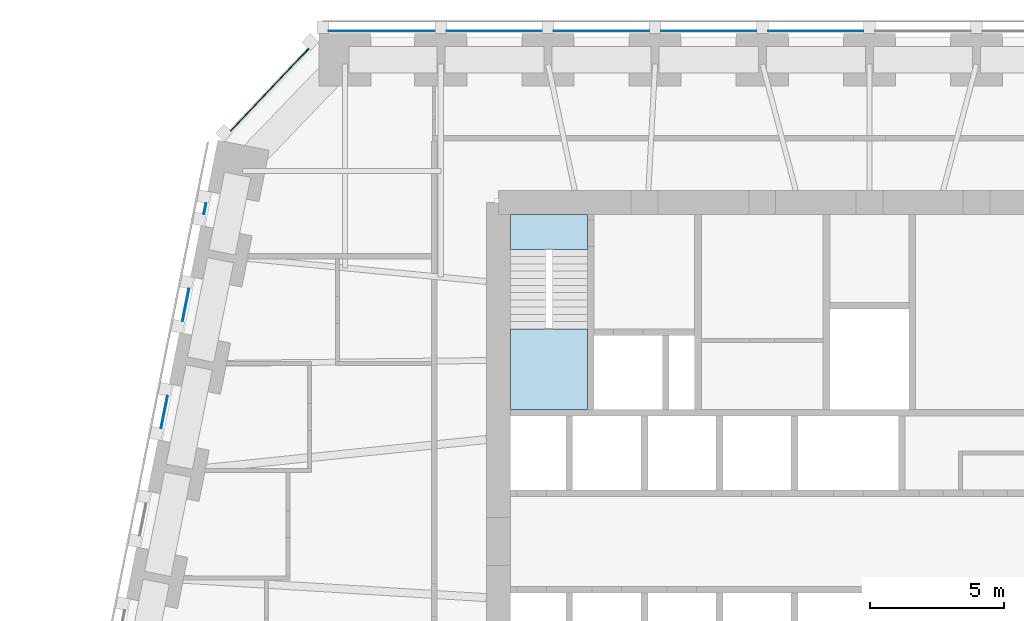
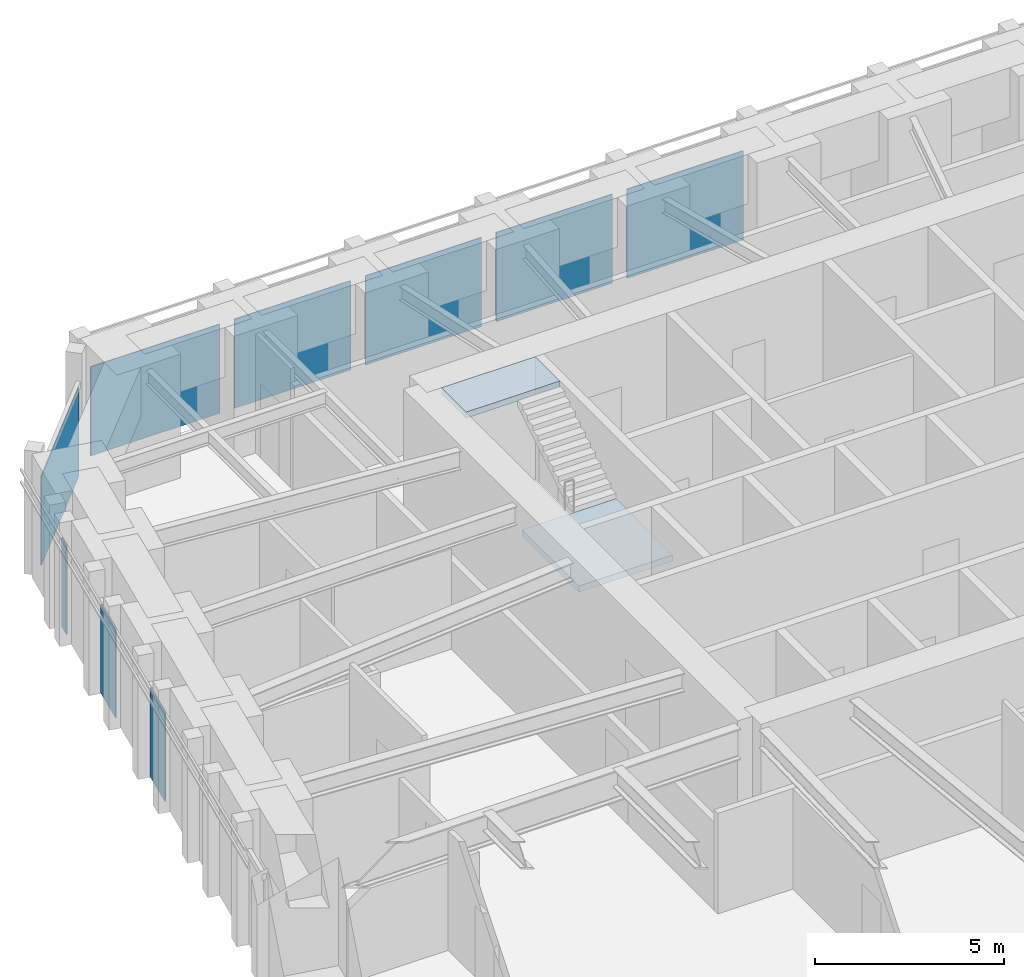
# One storey, part 9 of 16: 9 plates, 2 slabs, 6 elements without a shape of their own.
"""IFC4 building model written with IfcOpenShell, lengths in metres."""

from ifc_helpers import new_model, si_unit, direction, frame, origin, origin_2d, place, context, subcontext, project, spatial, polyline, rectangle, outline, extrude, material, layer, layer_set, type_object, element, aggregate, save


model = new_model("IFC4")

# Units and contexts
model_context = context("Model", 3, precision=1e-05, world=origin(), true_north=direction((0.0, 1.0)))
body_context = subcontext(model_context, "Body", "Model", "MODEL_VIEW")
ifc_project = project(units=[si_unit("LENGTHUNIT", "METRE"), si_unit("AREAUNIT", "SQUARE_METRE"), si_unit("VOLUMEUNIT", "CUBIC_METRE"), si_unit("PLANEANGLEUNIT", "RADIAN"), si_unit("MASSUNIT", "GRAM", prefix="KILO")], contexts=[model_context])

# Site, building, storey
site_placement = place(None, origin())
site = spatial("IfcSite", under=ifc_project, at=site_placement, CompositionType="ELEMENT")
building_placement = place(site_placement, origin())
building = spatial("IfcBuilding", under=site, at=building_placement, Name="Isbrekke Arena Tower", CompositionType="ELEMENT")
storey_placement = place(building_placement, frame((0.0, 0.0, 52.0)))
storey = spatial("IfcBuildingStorey", under=building, at=storey_placement, Name="L10", CompositionType="ELEMENT", Elevation=52.0)

# Curtain wall, plates
ifc_material_1 = material(Name="Glazed aluminium curtain wall", Category="aluminium")
curtain_wall_type = type_object("IfcCurtainWallType", Name="CWL TOWER CURTAIN WALL LOW ZONE", PredefinedType="USERDEFINED", material=ifc_material_1)
curtain_wall_1_placement = place(storey_placement, origin())
curtain_wall_1 = element("IfcCurtainWall", 1, at=curtain_wall_1_placement, inside=storey, type_object=curtain_wall_type, Name="CWL curtain wall L10-N", ObjectType="TOWER CURTAIN WALL LOW ZONE", PredefinedType="USERDEFINED")
ifc_material_2 = material(Name="Triple-glazed clear glass unit", Category="glass")
ifc_layer_1 = layer(ifc_material_2, 0.031982421875)
ifc_layer_set_1 = layer_set([ifc_layer_1], Name="CWL-P VISION PANEL")
plate_type = type_object("IfcPlateType", Name="CWL-P VISION PANEL", PredefinedType="CURTAIN_PANEL", material=ifc_layer_set_1)
plate_1_placement = place(storey_placement, frame((-2.0, 30.25, 0.02001953125), z_axis=(0.0, 0.0, 1.0), x_axis=(-1.0, 0.0, 0.0)))
plate_1 = element("IfcPlate", 2, at=plate_1_placement, type_object=plate_type, Name="CWL-P panel 6", PredefinedType="CURTAIN_PANEL", context=body_context, shape_type="SweptSolid", body=[
    extrude(rectangle(XDim=3.550048828125, YDim=0.031982421875, at=origin_2d()), origin(), (0.0, 0.0, 1.0), 2.8798828125),
])
plate_2_placement = place(storey_placement, frame((-6.0, 30.25, 0.02001953125), z_axis=(0.0, 0.0, 1.0), x_axis=(-1.0, 0.0, 0.0)))
plate_2 = element("IfcPlate", 3, at=plate_2_placement, type_object=plate_type, Name="CWL-P panel 7", PredefinedType="CURTAIN_PANEL", context=body_context, shape_type="SweptSolid", body=[
    extrude(rectangle(XDim=3.550048828125, YDim=0.031982421875, at=origin_2d()), origin(), (0.0, 0.0, 1.0), 2.8798828125),
])
plate_3_placement = place(storey_placement, frame((-10.0, 30.25, 0.02001953125), z_axis=(0.0, 0.0, 1.0), x_axis=(-1.0, 0.0, 0.0)))
plate_3 = element("IfcPlate", 4, at=plate_3_placement, type_object=plate_type, Name="CWL-P panel 8", PredefinedType="CURTAIN_PANEL", context=body_context, shape_type="SweptSolid", body=[
    extrude(rectangle(XDim=3.550048828125, YDim=0.031982421875, at=origin_2d()), origin(), (0.0, 0.0, 1.0), 2.8798828125),
])
plate_4_placement = place(storey_placement, frame((-14.0, 30.25, 0.02001953125), z_axis=(0.0, 0.0, 1.0), x_axis=(-1.0, 0.0, 0.0)))
plate_4 = element("IfcPlate", 5, at=plate_4_placement, type_object=plate_type, Name="CWL-P panel 9", PredefinedType="CURTAIN_PANEL", context=body_context, shape_type="SweptSolid", body=[
    extrude(rectangle(XDim=3.550048828125, YDim=0.031982421875, at=origin_2d()), origin(), (0.0, 0.0, 1.0), 2.8798828125),
])
plate_5_placement = place(storey_placement, frame((-18.199951171875, 30.25, 0.02001953125), z_axis=(0.0, 0.0, 1.0), x_axis=(-1.0, 0.0, 0.0)))
plate_5 = element("IfcPlate", 6, at=plate_5_placement, type_object=plate_type, Name="CWL-P panel 10", PredefinedType="CURTAIN_PANEL", context=body_context, shape_type="SweptSolid", body=[
    extrude(rectangle(XDim=3.949951171875, YDim=0.031982421875, at=origin_2d()), origin(), (0.0, 0.0, 1.0), 2.8798828125),
])
aggregate(curtain_wall_1, [plate_1, plate_2, plate_3, plate_4, plate_5])

# Curtain wall, plate
curtain_wall_2_placement = place(storey_placement, origin())
curtain_wall_2 = element("IfcCurtainWall", 7, at=curtain_wall_2_placement, inside=storey, type_object=curtain_wall_type, Name="CWL curtain wall L10-NW", ObjectType="TOWER CURTAIN WALL LOW ZONE", PredefinedType="USERDEFINED")
plate_6_placement = place(storey_placement, frame((-22.38623046875, 28.054443359375, 0.02001953125), z_axis=(0.0, 0.0, 1.0), x_axis=(-0.68874946192, -0.72499943359, 0.0)))
plate_6 = element("IfcPlate", 8, at=plate_6_placement, type_object=plate_type, Name="CWL-P panel 1", PredefinedType="CURTAIN_PANEL", context=body_context, shape_type="SweptSolid", body=[
    extrude(rectangle(XDim=4.22802734375, YDim=0.031982421875, at=origin_2d()), origin(), (0.0, 0.0, 1.0), 2.8798828125),
])
aggregate(curtain_wall_2, [plate_6])

curtain_wall_3_placement = place(storey_placement, origin())
curtain_wall_3 = element("IfcCurtainWall", 9, at=curtain_wall_3_placement, inside=storey, type_object=curtain_wall_type, Name="CWL curtain wall L10-W", ObjectType="TOWER CURTAIN WALL LOW ZONE", PredefinedType="USERDEFINED")
plate_7_placement = place(storey_placement, frame((-24.80322265625, 23.62109375, 0.02001953125), z_axis=(0.0, 0.0, 1.0), x_axis=(-0.196116135138, -0.980580675691, 0.0)))
plate_7 = element("IfcPlate", 10, at=plate_7_placement, type_object=plate_type, Name="CWL-P panel 1", PredefinedType="CURTAIN_PANEL", context=body_context, shape_type="SweptSolid", body=[
    extrude(rectangle(XDim=0.40625, YDim=0.031982421875, at=origin_2d()), origin(), (0.0, 0.0, 1.0), 2.8798828125),
])
aggregate(curtain_wall_3, [plate_7])

curtain_wall_4_placement = place(storey_placement, origin())
curtain_wall_4 = element("IfcCurtainWall", 11, at=curtain_wall_4_placement, inside=storey, type_object=curtain_wall_type, Name="CWL curtain wall L10-W3", ObjectType="TOWER CURTAIN WALL LOW ZONE", PredefinedType="USERDEFINED")
plate_8_placement = place(storey_placement, frame((-25.5224609375, 20.0244140625, 0.02001953125), z_axis=(0.0, 0.0, 1.0), x_axis=(-0.196116135138, -0.980580675691, 0.0)))
plate_8 = element("IfcPlate", 12, at=plate_8_placement, type_object=plate_type, Name="CWL-P panel 1", PredefinedType="CURTAIN_PANEL", context=body_context, shape_type="SweptSolid", body=[
    extrude(rectangle(XDim=1.229248046875, YDim=0.031982421875, at=origin_2d()), origin(), (0.0, 0.0, 1.0), 2.8798828125),
])
aggregate(curtain_wall_4, [plate_8])

curtain_wall_5_placement = place(storey_placement, origin())
curtain_wall_5 = element("IfcCurtainWall", 13, at=curtain_wall_5_placement, inside=storey, type_object=curtain_wall_type, Name="CWL curtain wall L10-W5", ObjectType="TOWER CURTAIN WALL LOW ZONE", PredefinedType="USERDEFINED")
plate_9_placement = place(storey_placement, frame((-26.322509765625, 16.0244140625, 0.02001953125), z_axis=(0.0, 0.0, 1.0), x_axis=(-0.196116135138, -0.980580675691, 0.0)))
plate_9 = element("IfcPlate", 14, at=plate_9_placement, type_object=plate_type, Name="CWL-P panel 1", PredefinedType="CURTAIN_PANEL", context=body_context, shape_type="SweptSolid", body=[
    extrude(rectangle(XDim=1.229248046875, YDim=0.031982421875, at=origin_2d()), origin(), (0.0, 0.0, 1.0), 2.8798828125),
])
aggregate(curtain_wall_5, [plate_9])

# Stair, slabs
ifc_material_3 = material(Name="Concrete B45 (C45/55) precast", Category="concrete")
stair_type = type_object("IfcStairType", Name="ST40 STAIR 1300 WIDE, 24 RISERS 167", PredefinedType="HALF_TURN_STAIR", material=ifc_material_3)
stair_placement = place(storey_placement, origin())
stair = element("IfcStair", 15, at=stair_placement, inside=storey, type_object=stair_type, Name="ST1 stair L10", PredefinedType="HALF_TURN_STAIR")
ifc_material_4 = material(Name="Concrete B35 (C35/45)", Category="concrete")
ifc_layer_2 = layer(ifc_material_4, 0.199951171875)
ifc_layer_set_2 = layer_set([ifc_layer_2], Name="SL1 STAIR LANDING 200")
slab_type = type_object("IfcSlabType", Name="SL1 STAIR LANDING 200", PredefinedType="LANDING", material=ifc_layer_set_2)
slab_1_placement = place(storey_placement, frame((0.0, 0.0, 1.800048828125)))
slab_1 = element("IfcSlab", 16, at=slab_1_placement, type_object=slab_type, Name="ST1 landing 1", PredefinedType="LANDING", context=body_context, shape_type="SweptSolid", body=[
    extrude(outline(polyline([(-13.39990234375, 16.125), (-10.52490234375, 16.125), (-10.52490234375, 19.1298828125), (-13.39990234375, 19.1298828125), (-13.39990234375, 16.125)])), origin(), (0.0, 0.0, 1.0), 0.199951171875),
])
slab_2_placement = place(storey_placement, frame((0.0, 0.0, 3.800048828125)))
slab_2 = element("IfcSlab", 17, at=slab_2_placement, type_object=slab_type, Name="ST1 landing 2", PredefinedType="LANDING", context=body_context, shape_type="SweptSolid", body=[
    extrude(outline(polyline([(-13.39990234375, 22.10009765625), (-10.52490234375, 22.10009765625), (-10.52490234375, 23.39990234375), (-13.39990234375, 23.39990234375), (-13.39990234375, 22.10009765625)])), origin(), (0.0, 0.0, 1.0), 0.199951171875),
])
aggregate(stair, [slab_1, slab_2])

save(model, "model.ifc")
